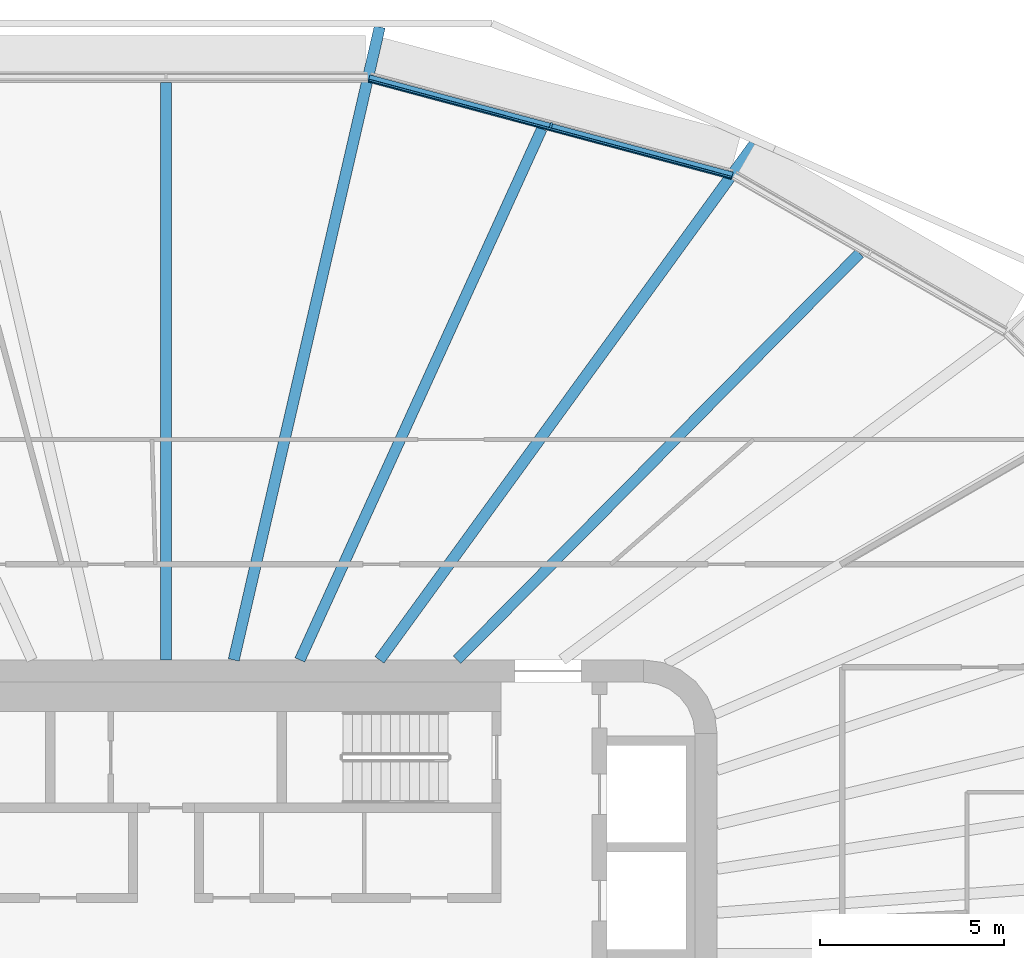
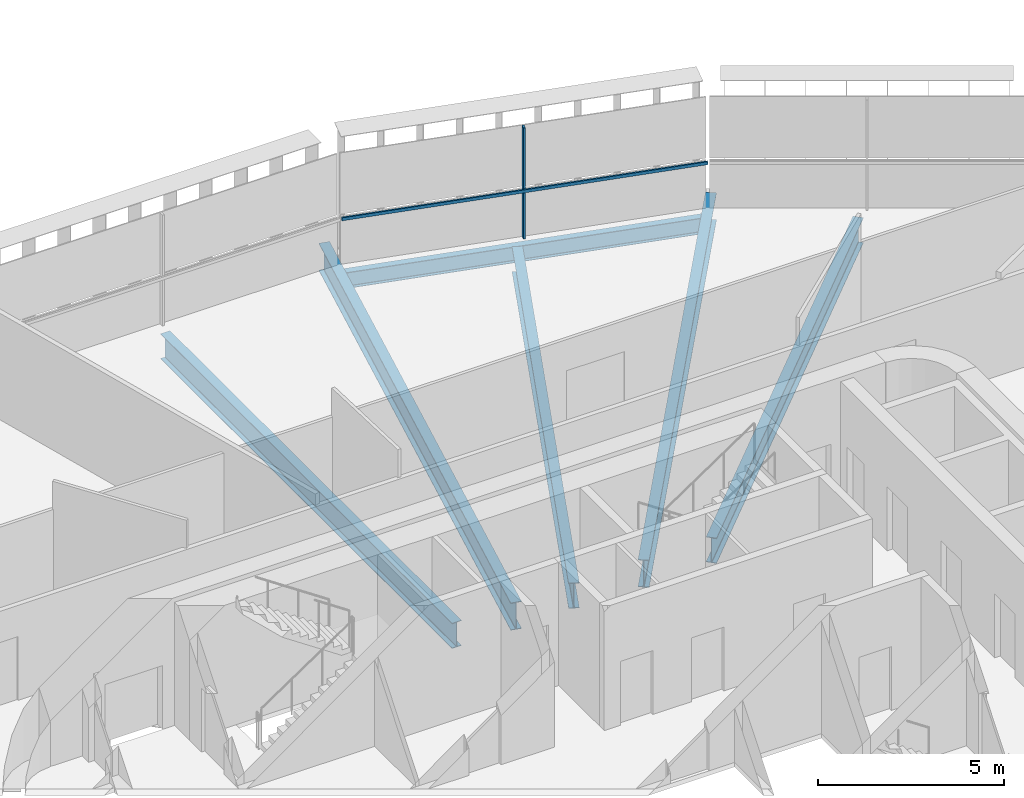
# One storey, part 9 of 26: 6 beams, 2 members, 1 element without a shape of its own.
"""IFC4 building model written with IfcOpenShell, lengths in metres."""

from ifc_helpers import new_model, si_unit, direction, frame, origin, origin_2d, place, context, subcontext, project, spatial, rectangle, i_section, extrude, material, layer, layer_set, material_profile, profile_set, type_object, element, aggregate, save


model = new_model("IFC4")

# Units and contexts
model_context = context("Model", 3, precision=1e-05, world=origin(), true_north=direction((0.0, 1.0)))
body_context = subcontext(model_context, "Body", "Model", "MODEL_VIEW")
ifc_project = project(units=[si_unit("LENGTHUNIT", "METRE"), si_unit("AREAUNIT", "SQUARE_METRE"), si_unit("VOLUMEUNIT", "CUBIC_METRE"), si_unit("PLANEANGLEUNIT", "RADIAN"), si_unit("MASSUNIT", "GRAM", prefix="KILO")], contexts=[model_context])

# Site, building, storey
site_placement = place(None, origin())
site = spatial("IfcSite", under=ifc_project, at=site_placement, CompositionType="ELEMENT")
building_placement = place(site_placement, origin())
building = spatial("IfcBuilding", under=site, at=building_placement, Name="Sahrelin Media Tower", CompositionType="ELEMENT")
storey_placement = place(building_placement, frame((0.0, 0.0, 102.0)))
storey = spatial("IfcBuildingStorey", under=building, at=storey_placement, Name="L19", CompositionType="ELEMENT", Elevation=102.0)

# Beam
ifc_material_1 = material(Name="Steel S355", Category="steel")
ifc_material_profile_1 = material_profile(ifc_material_1, i_section(OverallWidth=0.208740234375, OverallDepth=0.5283203125, WebThickness=0.009521484375, FlangeThickness=0.01318359375, FilletRadius=0.0126953125, at=origin_2d()), Name="UB 533x210x82")
ifc_profile_set_1 = profile_set([ifc_material_profile_1], Name="Steel S355")
beam_type_1 = type_object("IfcBeamType", Name="Edge beam EB6", PredefinedType="BEAM", material=ifc_profile_set_1)
beam_1_placement = place(storey_placement, frame((5.525146484375, 23.8232421875, -0.414306640625), z_axis=(0.965929419345, -0.258805635261, 0.0), x_axis=(0.258805635261, 0.965929419345, 0.0)))
element("IfcBeam", 1, at=beam_1_placement, inside=storey, type_object=beam_type_1, Name="Edge beam L19-20", PredefinedType="BEAM", context=body_context, shape_type="SweptSolid", body=[
    extrude(i_section(OverallWidth=0.208740234375, OverallDepth=0.5283203125, WebThickness=0.009521484375, FlangeThickness=0.01318359375, FilletRadius=0.0126953125, at=origin_2d()), origin(), (0.0, 0.0, 1.0), 10.235107421875),
])

# Curtain wall, member
ifc_material_2 = material(Name="Champagne anodised aluminium 6063-T6", Category="aluminium")
ifc_layer = layer(ifc_material_2, 0.14990234375)
ifc_layer_set = layer_set([ifc_layer], Name="Tower ribbon curtain wall")
curtain_wall_type = type_object("IfcCurtainWallType", Name="Tower ribbon curtain wall", PredefinedType="NOTDEFINED", material=ifc_layer_set)
curtain_wall_placement = place(storey_placement, frame((10.507080078125, 22.643798828125, 0.0), z_axis=(0.0, 0.0, 1.0), x_axis=(1.0, 0.0, 0.0)))
curtain_wall = element("IfcCurtainWall", 2, at=curtain_wall_placement, inside=storey, type_object=curtain_wall_type, Name="L19:CW:L19-05", PredefinedType="NOTDEFINED")
ifc_material_profile_2 = material_profile(ifc_material_2, rectangle(XDim=0.06005859375, YDim=0.14990234375, at=origin_2d()), Name="Mullion 60x150")
ifc_profile_set_2 = profile_set([ifc_material_profile_2], Name="Champagne anodised aluminium 6063-T6")
member_type_1 = type_object("IfcMemberType", Name="Mullion 60x150 CW1", PredefinedType="MULLION", material=ifc_profile_set_2)
member_1_placement = place(storey_placement, frame((10.482666015625, 22.552001953125, 0.0), z_axis=(0.0, 0.0, 1.0), x_axis=(-0.965926278012, 0.258817359244, 0.0)))
member_1 = element("IfcMember", 3, at=member_1_placement, type_object=member_type_1, Name="L19:CWM:L19-05", PredefinedType="MULLION", context=body_context, shape_type="SweptSolid", body=[
    extrude(rectangle(XDim=0.06005859375, YDim=0.14990234375, at=origin_2d()), origin(), (0.0, 0.0, 1.0), 3.648681640625),
])

# Beams
ifc_material_profile_3 = material_profile(ifc_material_1, i_section(OverallWidth=0.30322265625, OverallDepth=0.903076171875, WebThickness=0.01513671875, FlangeThickness=0.020263671875, FilletRadius=0.01904296875, at=origin_2d()), Name="UB 914x305x201")
ifc_profile_set_3 = profile_set([ifc_material_profile_3], Name="Steel S355")
beam_type_2 = type_object("IfcBeamType", Name="Radial primary beam PB11", PredefinedType="BEAM", material=ifc_profile_set_3)
beam_2_placement = place(storey_placement, frame((5.8125, 8.0, -0.6015625), z_axis=(0.587811216872, 0.808998129367, 0.0), x_axis=(-0.808998129367, 0.587811216872, 0.0)))
element("IfcBeam", 4, at=beam_2_placement, inside=storey, type_object=beam_type_2, Name="Radial beam L19-05", PredefinedType="BEAM", context=body_context, shape_type="SweptSolid", body=[
    extrude(i_section(OverallWidth=0.30322265625, OverallDepth=0.903076171875, WebThickness=0.01513671875, FlangeThickness=0.020263671875, FilletRadius=0.01904296875, at=origin_2d()), origin(), (0.0, 0.0, 1.0), 17.359130859375),
])
beam_3_placement = place(storey_placement, frame((1.845458984375, 8.0, -0.6015625), z_axis=(0.224765702956, 0.974412837957, 0.0), x_axis=(-0.974412837957, 0.224765702956, 0.0)))
element("IfcBeam", 5, at=beam_3_placement, inside=storey, type_object=beam_type_2, Name="Radial beam L19-06", PredefinedType="BEAM", context=body_context, shape_type="SweptSolid", body=[
    extrude(i_section(OverallWidth=0.30322265625, OverallDepth=0.903076171875, WebThickness=0.01513671875, FlangeThickness=0.020263671875, FilletRadius=0.01904296875, at=origin_2d()), origin(), (0.0, 0.0, 1.0), 17.677978515625),
])
ifc_material_profile_4 = material_profile(ifc_material_1, i_section(OverallWidth=0.291748046875, OverallDepth=0.8349609375, WebThickness=0.013916015625, FlangeThickness=0.018798828125, FilletRadius=0.017822265625, at=origin_2d()), Name="UB 838x292x176")
ifc_profile_set_4 = profile_set([ifc_material_profile_4], Name="Steel S355")
beam_type_3 = type_object("IfcBeamType", Name="Radial secondary beam SB10", PredefinedType="BEAM", material=ifc_profile_set_4)
beam_4_placement = place(storey_placement, frame((7.92138671875, 8.0, -0.5673828125), z_axis=(0.703602310212, 0.7105939692, 0.0), x_axis=(-0.7105939692, 0.703602310212, 0.0)))
element("IfcBeam", 6, at=beam_4_placement, inside=storey, type_object=beam_type_3, Name="Secondary beam L19-04", PredefinedType="BEAM", context=body_context, shape_type="SweptSolid", body=[
    extrude(i_section(OverallWidth=0.291748046875, OverallDepth=0.8349609375, WebThickness=0.013916015625, FlangeThickness=0.018798828125, FilletRadius=0.017822265625, at=origin_2d()), origin(), (0.0, 0.0, 1.0), 15.57373046875),
])
beam_5_placement = place(storey_placement, frame((3.64501953125, 8.0, -0.5673828125), z_axis=(0.414626132753, 0.909991851633, 0.0), x_axis=(-0.909991851633, 0.414626132753, 0.0)))
element("IfcBeam", 7, at=beam_5_placement, inside=storey, type_object=beam_type_3, Name="Secondary beam L19-05", PredefinedType="BEAM", context=body_context, shape_type="SweptSolid", body=[
    extrude(i_section(OverallWidth=0.291748046875, OverallDepth=0.8349609375, WebThickness=0.013916015625, FlangeThickness=0.018798828125, FilletRadius=0.017822265625, at=origin_2d()), origin(), (0.0, 0.0, 1.0), 15.884033203125),
])
beam_6_placement = place(storey_placement, frame((0.0, 8.0, -0.5673828125), z_axis=(0.0, 1.0, 0.0), x_axis=(-1.0, 0.0, 0.0)))
element("IfcBeam", 8, at=beam_6_placement, inside=storey, type_object=beam_type_3, Name="Secondary beam L19-06", PredefinedType="BEAM", context=body_context, shape_type="SweptSolid", body=[
    extrude(i_section(OverallWidth=0.291748046875, OverallDepth=0.8349609375, WebThickness=0.013916015625, FlangeThickness=0.018798828125, FilletRadius=0.017822265625, at=origin_2d()), origin(), (0.0, 0.0, 1.0), 15.71337890625),
])

# Member
ifc_material_profile_5 = material_profile(ifc_material_2, rectangle(XDim=0.050048828125, YDim=0.10009765625, at=origin_2d()), Name="Transom 50x100")
ifc_profile_set_5 = profile_set([ifc_material_profile_5], Name="Champagne anodised aluminium 6063-T6")
member_type_2 = type_object("IfcMemberType", Name="Transom 50x100 CW1", PredefinedType="USERDEFINED", material=ifc_profile_set_5)
member_2_placement = place(storey_placement, frame((15.384765625, 21.135009765625, 1.60009765625), z_axis=(-0.965926477685, 0.258816614048, 0.0), x_axis=(-0.258816614048, -0.965926477685, 0.0)))
member_2 = element("IfcMember", 9, at=member_2_placement, type_object=member_type_2, Name="L19:CWT:L19-05", ObjectType="TRANSOM", PredefinedType="USERDEFINED", context=body_context, shape_type="SweptSolid", body=[
    extrude(rectangle(XDim=0.050048828125, YDim=0.10009765625, at=origin_2d()), origin(), (0.0, 0.0, 1.0), 10.20361328125),
])

aggregate(curtain_wall, [member_1, member_2])

save(model, "model.ifc")
